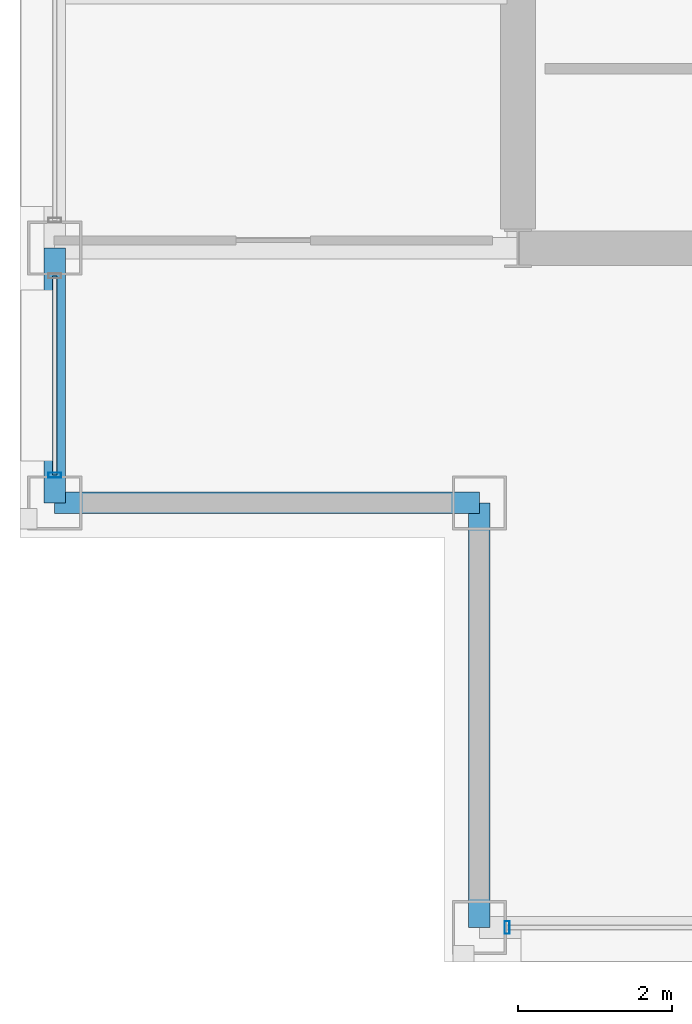
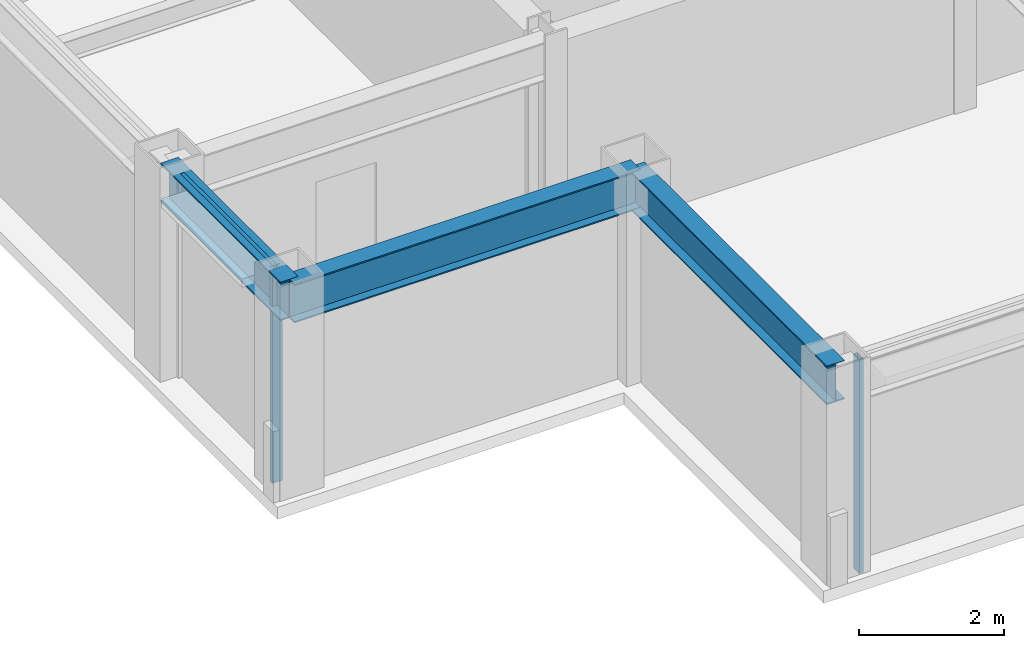
# One storey, part 2 of 30: 3 beams, 3 members, 2 elements without a shape of their own.
"""IFC4 building model written with IfcOpenShell, lengths in metres."""

from ifc_helpers import new_model, si_unit, direction, frame, origin, origin_2d, place, context, subcontext, project, spatial, hollow_rectangle, i_section, extrude, material, layer, layer_set, material_profile, profile_set, type_object, element, aggregate, save


model = new_model("IFC4")

# Units and contexts
model_context = context("Model", 3, precision=1e-05, world=origin(), true_north=direction((0.0, 1.0)))
body_context = subcontext(model_context, "Body", "Model", "MODEL_VIEW")
ifc_project = project(units=[si_unit("LENGTHUNIT", "METRE"), si_unit("AREAUNIT", "SQUARE_METRE"), si_unit("VOLUMEUNIT", "CUBIC_METRE"), si_unit("PLANEANGLEUNIT", "RADIAN"), si_unit("MASSUNIT", "GRAM", prefix="KILO")], contexts=[model_context])

# Site, building, storey
site_placement = place(None, origin())
site = spatial("IfcSite", under=ifc_project, at=site_placement, CompositionType="ELEMENT")
building_placement = place(site_placement, origin())
building = spatial("IfcBuilding", under=site, at=building_placement, Name="Brelmoor Portico Tower", CompositionType="ELEMENT")
storey_placement = place(building_placement, frame((0.0, 0.0, 187.5)))
storey = spatial("IfcBuildingStorey", under=building, at=storey_placement, Name="L49", CompositionType="ELEMENT", Elevation=187.5)

# Beams
ifc_material_1 = material(Name="Steel Q355B", Category="steel")
ifc_material_profile_1 = material_profile(ifc_material_1, i_section(OverallWidth=0.280029296875, OverallDepth=0.64990234375, WebThickness=0.012939453125, FlangeThickness=0.02197265625, at=origin_2d()), Name="HN 650x280x13x22")
ifc_profile_set_1 = profile_set([ifc_material_profile_1], Name="Steel Q355B")
beam_type = type_object("IfcBeamType", Name="BM-SP-650", PredefinedType="SPANDREL", material=ifc_profile_set_1)
beam_1_placement = place(storey_placement, frame((-20.550048828125, -13.050048828125, 3.074951171875), z_axis=(1.0, 0.0, 0.0), x_axis=(0.0, 1.0, 0.0)))
element("IfcBeam", 1, at=beam_1_placement, inside=storey, type_object=beam_type, Name="L49 Perimeter Spandrel Beam SP-04", PredefinedType="SPANDREL", context=body_context, shape_type="SweptSolid", body=[
    extrude(i_section(OverallWidth=0.280029296875, OverallDepth=0.64990234375, WebThickness=0.012939453125, FlangeThickness=0.02197265625, at=origin_2d()), origin(), (0.0, 0.0, 1.0), 5.5),
])
beam_2_placement = place(storey_placement, frame((-20.550048828125, -13.050048828125, 3.074951171875), z_axis=(0.0, 1.0, 0.0), x_axis=(-1.0, 0.0, 0.0)))
element("IfcBeam", 2, at=beam_2_placement, inside=storey, type_object=beam_type, Name="L49 Perimeter Spandrel Beam SP-11", PredefinedType="SPANDREL", context=body_context, shape_type="SweptSolid", body=[
    extrude(i_section(OverallWidth=0.280029296875, OverallDepth=0.64990234375, WebThickness=0.012939453125, FlangeThickness=0.02197265625, at=origin_2d()), origin(), (0.0, 0.0, 1.0), 3.300048828125),
])
beam_3_placement = place(storey_placement, frame((-15.050048828125, -18.550048828125, 3.074951171875), z_axis=(0.0, 1.0, 0.0), x_axis=(-1.0, 0.0, 0.0)))
element("IfcBeam", 3, at=beam_3_placement, inside=storey, type_object=beam_type, Name="L49 Perimeter Spandrel Beam SP-14", PredefinedType="SPANDREL", context=body_context, shape_type="SweptSolid", body=[
    extrude(i_section(OverallWidth=0.280029296875, OverallDepth=0.64990234375, WebThickness=0.012939453125, FlangeThickness=0.02197265625, at=origin_2d()), origin(), (0.0, 0.0, 1.0), 5.5),
])

# Curtain wall, member
ifc_material_2 = material(Name="Anodised Aluminium Alloy 6063-T6", Category="aluminium")
ifc_layer = layer(ifc_material_2, 0.179931640625)
ifc_layer_set = layer_set([ifc_layer], Name="Anodised Aluminium Alloy 6063-T6")
curtain_wall_type = type_object("IfcCurtainWallType", Name="CW-TOWER-Z3-XB", PredefinedType="NOTDEFINED", material=ifc_layer_set)
curtain_wall_1_placement = place(storey_placement, origin())
curtain_wall_1 = element("IfcCurtainWall", 4, at=curtain_wall_1_placement, inside=storey, type_object=curtain_wall_type, Name="L49 Curtain Wall CW-L49-01-1", PredefinedType="NOTDEFINED")
ifc_material_profile_2 = material_profile(ifc_material_2, hollow_rectangle(XDim=0.06494140625, YDim=0.1650390625, WallThickness=0.00390625, at=origin_2d()), Name="ALU MULLION 65x165")
ifc_profile_set_2 = profile_set([ifc_material_profile_2], Name="Anodised Aluminium Alloy 6063-T6")
member_type_1 = type_object("IfcMemberType", Name="MB-CW-MULL-165", PredefinedType="MULLION", material=ifc_profile_set_2)
member_1_placement = place(storey_placement, frame((-14.68994140625, -18.550048828125, -0.199951171875), z_axis=(0.0, 0.0, 1.0), x_axis=(1.0, 0.0, 0.0)))
member_1 = element("IfcMember", 5, at=member_1_placement, type_object=member_type_1, Name="CW-L49-01-1 Mullion 00", PredefinedType="MULLION", context=body_context, shape_type="SweptSolid", body=[
    extrude(hollow_rectangle(XDim=0.06494140625, YDim=0.1650390625, WallThickness=0.00390625, at=origin_2d()), origin(), (0.0, 0.0, 1.0), 3.599853515625),
])
aggregate(curtain_wall_1, [member_1])

# Curtain wall, members
curtain_wall_2_placement = place(storey_placement, origin())
curtain_wall_2 = element("IfcCurtainWall", 6, at=curtain_wall_2_placement, inside=storey, type_object=curtain_wall_type, Name="L49 Curtain Wall CW-L49-03-1", PredefinedType="NOTDEFINED")
member_2_placement = place(storey_placement, frame((-20.550048828125, -12.68994140625, -0.199951171875), z_axis=(0.0, 0.0, 1.0), x_axis=(0.0, 1.0, 0.0)))
member_2 = element("IfcMember", 7, at=member_2_placement, type_object=member_type_1, Name="CW-L49-03-1 Mullion 00", PredefinedType="MULLION", context=body_context, shape_type="SweptSolid", body=[
    extrude(hollow_rectangle(XDim=0.06494140625, YDim=0.1650390625, WallThickness=0.00390625, at=origin_2d()), origin(), (0.0, 0.0, 1.0), 3.599853515625),
])
ifc_material_profile_3 = material_profile(ifc_material_2, hollow_rectangle(XDim=0.06005859375, YDim=0.125, WallThickness=0.00341796875, at=origin_2d()), Name="ALU TRANSOM 60x125")
ifc_profile_set_3 = profile_set([ifc_material_profile_3], Name="Anodised Aluminium Alloy 6063-T6")
member_type_2 = type_object("IfcMemberType", Name="MB-CW-TRAN-125", PredefinedType="USERDEFINED", material=ifc_profile_set_3)
member_3_placement = place(storey_placement, frame((-20.550048828125, -12.68994140625, 3.33740234375), z_axis=(0.0, 1.0, 0.0), x_axis=(-1.0, 0.0, 0.0)))
member_3 = element("IfcMember", 8, at=member_3_placement, type_object=member_type_2, Name="CW-L49-03-1 Transom 1-00", ObjectType="TRANSOM", PredefinedType="USERDEFINED", context=body_context, shape_type="SweptSolid", body=[
    extrude(hollow_rectangle(XDim=0.06005859375, YDim=0.125, WallThickness=0.00341796875, at=origin_2d()), origin(), (0.0, 0.0, 1.0), 2.579833984375),
])
aggregate(curtain_wall_2, [member_2, member_3])

save(model, "model.ifc")
